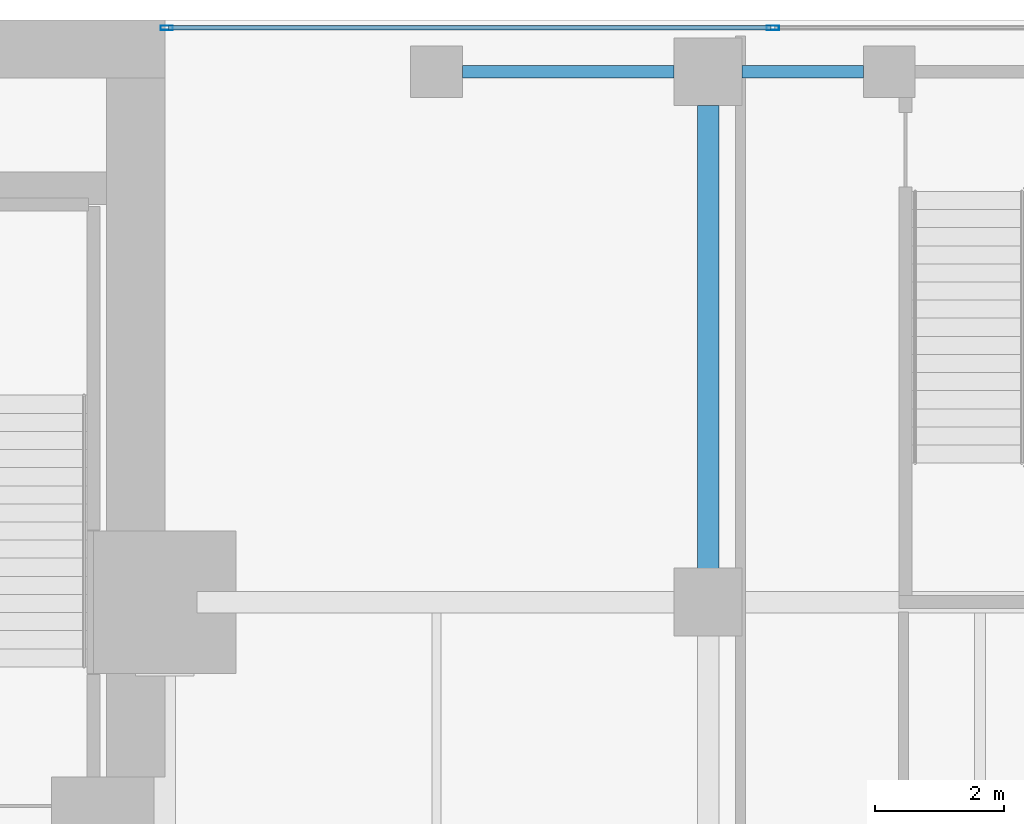
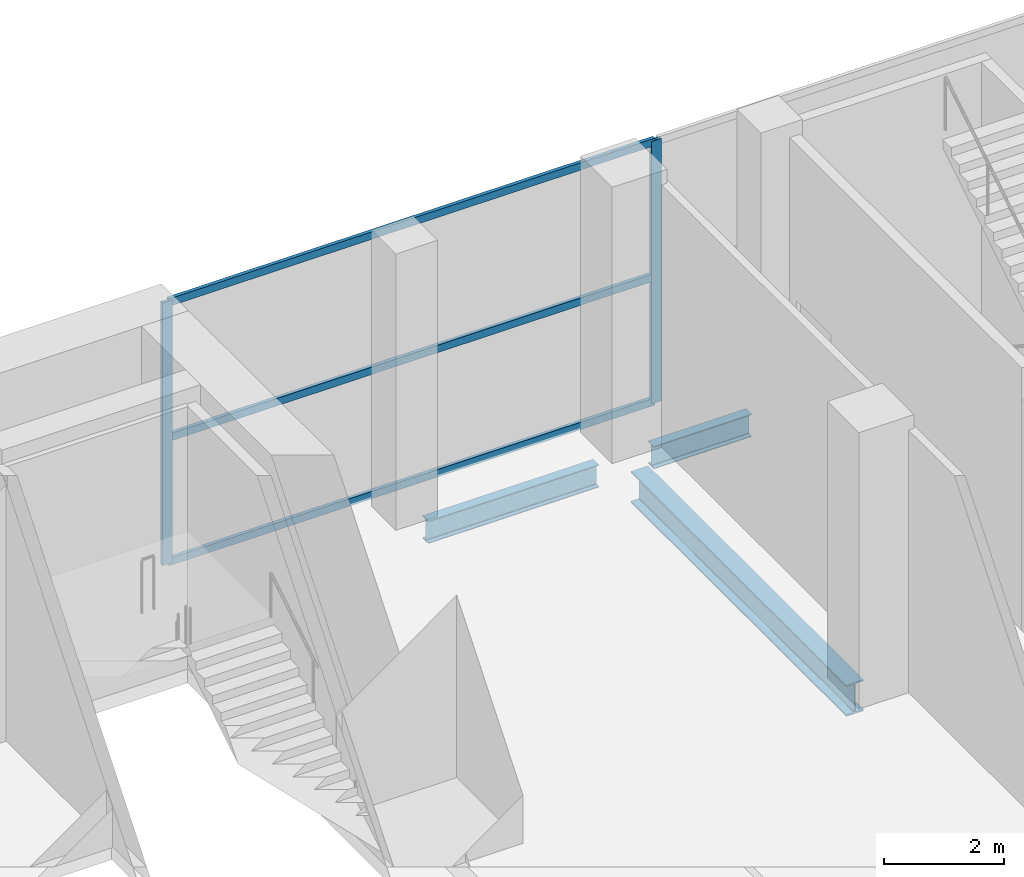
# One storey, part 23 of 40: 5 members, 3 beams, 1 element without a shape of its own.
"""IFC4 building model written with IfcOpenShell, lengths in metres."""

import ifcopenshell
import ifcopenshell.guid

model = None  # the IFC model being written
_history = None  # IfcOwnerHistory: only IFC2X3 demands one
_inside = {}  # id of a spatial element -> (the spatial element, [elements in it])
_under = {}  # id of a project, library or spatial element -> (it, [spatial elements below it])
_declared = {}  # id of a project -> (the project, [libraries it declares])
_typed = {}  # id of a type object -> (the type object, [elements of that type])
_made_of = {}  # id of a material, layer set ... -> (it, [elements and type objects made of it])


def new_model(schema):
    """Start an empty IFC model of exactly this schema.

    Asked for "IFC4X3", IfcOpenShell would pick the latest addendum, in which some entities
    have other attributes; the version numbers below select the first issue.
    IFC2X3 requires an IfcOwnerHistory on every rooted entity: one is made here for all.
    """
    global model, _history
    if schema == "IFC4X3":
        model = ifcopenshell.file(schema_version=(4, 3, 0, 0))
    else:
        model = ifcopenshell.file(schema=schema)
    _inside.clear()
    _under.clear()
    _declared.clear()
    _typed.clear()
    _made_of.clear()
    _history = None
    if model.schema == "IFC2X3":
        org = make("IfcOrganization", Name="unknown")
        user = make(
            "IfcPersonAndOrganization",
            ThePerson=make("IfcPerson", FamilyName="unknown"),
            TheOrganization=org,
        )
        app = make(
            "IfcApplication",
            ApplicationDeveloper=org,
            Version="unknown",
            ApplicationFullName="unknown",
            ApplicationIdentifier="unknown",
        )
        _history = make(
            "IfcOwnerHistory",
            OwningUser=user,
            OwningApplication=app,
            ChangeAction="ADDED",
            CreationDate=0,
        )
    return model


def make(cls, **values):
    """One entity of the class cls with the attributes given. An attribute that is None is left unset."""
    return model.create_entity(
        cls, **{name: value for name, value in values.items() if value is not None}
    )


def rooted(cls, **values):
    """An entity with a GlobalId (a new one), such as an element, a storey or a relation."""
    return make(cls, GlobalId=ifcopenshell.guid.new(), OwnerHistory=_history, **values)


def si_unit(unit_type, name, prefix=None):
    """IfcSIUnit, for example si_unit("LENGTHUNIT", "METRE", prefix="MILLI")."""
    return make("IfcSIUnit", UnitType=unit_type, Prefix=prefix, Name=name)


def assignment(units):
    """IfcUnitAssignment: the units of a project."""
    return None if units is None else make("IfcUnitAssignment", Units=units)


def point(xyz):
    """IfcCartesianPoint."""
    return None if xyz is None else make("IfcCartesianPoint", Coordinates=xyz)


def direction(xyz):
    """IfcDirection."""
    return None if xyz is None else make("IfcDirection", DirectionRatios=xyz)


def frame(location, z_axis=None, x_axis=None):
    """IfcAxis2Placement3D, a coordinate frame: its origin and axes. An axis left out is left unset."""
    return make(
        "IfcAxis2Placement3D",
        Location=point(location),
        Axis=direction(z_axis),
        RefDirection=direction(x_axis),
    )


def frame_2d(location, x_axis=None):
    """IfcAxis2Placement2D, a coordinate frame in the plane: its origin and x axis."""
    return make(
        "IfcAxis2Placement2D", Location=point(location), RefDirection=direction(x_axis)
    )


def origin():
    """The frame at (0, 0, 0) with its axes left unset."""
    return frame((0.0, 0.0, 0.0))


def origin_2d():
    """The frame at (0, 0) in the plane with its x axis left unset."""
    return frame_2d((0.0, 0.0))


def place(relative_to, where):
    """IfcLocalPlacement: puts the frame where relative to a parent placement (None: the world)."""
    return make(
        "IfcLocalPlacement", PlacementRelTo=relative_to, RelativePlacement=where
    )


def context(
    kind, dimensions, precision=None, world=None, true_north=None, identifier=None
):
    """IfcGeometricRepresentationContext, for example the 3D "Model" context."""
    return make(
        "IfcGeometricRepresentationContext",
        ContextIdentifier=identifier,
        ContextType=kind,
        CoordinateSpaceDimension=dimensions,
        Precision=precision,
        WorldCoordinateSystem=world,
        TrueNorth=true_north,
    )


def subcontext(parent, identifier, kind, view, scale=None):
    """IfcGeometricRepresentationSubContext, for example "Body" below "Model"."""
    return make(
        "IfcGeometricRepresentationSubContext",
        ContextIdentifier=identifier,
        ContextType=kind,
        ParentContext=parent,
        TargetScale=scale,
        TargetView=view,
    )


def project(units=None, contexts=None):
    """IfcProject with its units and contexts."""
    return rooted(
        "IfcProject",
        Name="project",
        RepresentationContexts=contexts,
        UnitsInContext=assignment(units),
    )


def spatial(cls, under=None, at=None, **own):
    """A site, building, storey or space (cls), placed at a placement, below another one or the project."""
    s = rooted(cls, ObjectPlacement=at, **own)
    if under is not None:
        _under.setdefault(under.id(), (under, []))[1].append(s)
    return s


def profile(cls, at=None, kind="AREA", **sizes):
    """A parametric profile (cls). Its sizes go by their IFC names, for example OverallWidth=200.0."""
    return make(cls, ProfileType=kind, Position=at, **sizes)


def hollow_rectangle(**sizes):
    """IfcRectangleHollowProfileDef."""
    return profile("IfcRectangleHollowProfileDef", **sizes)


def i_section(**sizes):
    """IfcIShapeProfileDef."""
    return profile("IfcIShapeProfileDef", **sizes)


def extrude(swept, where, along, depth):
    """IfcExtrudedAreaSolid: the profile swept, set in the frame where, extruded along a direction by depth."""
    return make(
        "IfcExtrudedAreaSolid",
        SweptArea=swept,
        Position=where,
        ExtrudedDirection=direction(along),
        Depth=depth,
    )


def shape(context_of_items, identifier, shape_type, items):
    """IfcShapeRepresentation: the items that make up one representation, for example the "Body"."""
    return make(
        "IfcShapeRepresentation",
        ContextOfItems=context_of_items,
        RepresentationIdentifier=identifier,
        RepresentationType=shape_type,
        Items=items,
    )


def material(Name=None, Category=None):
    """IfcMaterial."""
    return make("IfcMaterial", Name=Name, Category=Category)


def layer(
    of_material, thickness, ventilated=None, Name=None, Category=None, Priority=None
):
    """IfcMaterialLayer: one layer of a wall or slab, of a material (None: an air gap)."""
    return make(
        "IfcMaterialLayer",
        Material=of_material,
        LayerThickness=thickness,
        IsVentilated=ventilated,
        Name=Name,
        Category=Category,
        Priority=Priority,
    )


def layer_set(layers, Name=None):
    """IfcMaterialLayerSet."""
    return make("IfcMaterialLayerSet", MaterialLayers=layers, LayerSetName=Name)


def material_profile(
    of_material, cross_section, Name=None, Category=None, Priority=None
):
    """IfcMaterialProfile: a cross section and its material."""
    return make(
        "IfcMaterialProfile",
        Name=Name,
        Material=of_material,
        Profile=cross_section,
        Priority=Priority,
        Category=Category,
    )


def profile_set(profiles, Name=None, composite=None):
    """IfcMaterialProfileSet."""
    return make(
        "IfcMaterialProfileSet",
        Name=Name,
        MaterialProfiles=profiles,
        CompositeProfile=composite,
    )


def made_of(thing, what):
    """Note that an element or type object is made of a material, layer set ...; save() writes the relation."""
    if what is not None:
        _made_of.setdefault(what.id(), (what, []))[1].append(thing)
    return thing


def type_object(cls, material=None, **own):
    """A type object (cls), such as IfcWallType, which elements share."""
    return made_of(rooted(cls, **own), material)


def element(
    cls,
    number,
    at=None,
    inside=None,
    cuts=None,
    type_object=None,
    material=None,
    context=None,
    identifier="Body",
    shape_type=None,
    held_by="IfcProductDefinitionShape",
    body=None,
    shapes=None,
    **own,
):
    """One element of the class cls, such as IfcWall. Its Tag is "e" and its number.

    at: its placement. inside: the storey or other place that contains it. cuts: it is an
    opening in that element (IfcRelVoidsElement). A single representation is given by context,
    identifier, shape_type and body (its items); several are given by shapes. held_by: the class
    of the entity that holds the representations. save() writes the other relations.
    """
    e = rooted(cls, Tag="e%d" % number, ObjectPlacement=at, **own)
    if body is not None:
        shapes = [shape(context, identifier, shape_type, body)]
    if shapes is not None:
        e.Representation = make(held_by, Representations=shapes)
    if inside is not None:
        _inside.setdefault(inside.id(), (inside, []))[1].append(e)
    if cuts is not None:
        rooted(
            "IfcRelVoidsElement", RelatingBuildingElement=cuts, RelatedOpeningElement=e
        )
    if type_object is not None:
        _typed.setdefault(type_object.id(), (type_object, []))[1].append(e)
    return made_of(e, material)


def aggregate(whole, parts):
    """IfcRelAggregates: a whole, such as a stair, and the parts it consists of."""
    return rooted("IfcRelAggregates", RelatingObject=whole, RelatedObjects=parts)


def save(model, path):
    """Write the relations noted so far, then the file.

    IfcRelAggregates (storeys below a building ...), IfcRelContainedInSpatialStructure (elements
    in a storey), IfcRelDefinesByType, IfcRelAssociatesMaterial and IfcRelDeclares: one each for
    every whole, place, type object, material and project.
    """
    for whole, parts in _under.values():
        aggregate(whole, parts)
    for where, things in _inside.values():
        rooted(
            "IfcRelContainedInSpatialStructure",
            RelatedElements=things,
            RelatingStructure=where,
        )
    for kind, things in _typed.values():
        rooted("IfcRelDefinesByType", RelatedObjects=things, RelatingType=kind)
    for what, things in _made_of.values():
        rooted("IfcRelAssociatesMaterial", RelatedObjects=things, RelatingMaterial=what)
    for by, libraries in _declared.values():
        rooted("IfcRelDeclares", RelatingContext=by, RelatedDefinitions=libraries)
    model.write(path)


model = new_model("IFC4")

# Units and contexts
model_context = context("Model", 3, precision=1e-05, world=origin(), true_north=direction((0.0, 1.0)))
body_context = subcontext(model_context, "Body", "Model", "MODEL_VIEW")
ifc_project = project(units=[si_unit("LENGTHUNIT", "METRE"), si_unit("AREAUNIT", "SQUARE_METRE"), si_unit("VOLUMEUNIT", "CUBIC_METRE"), si_unit("PLANEANGLEUNIT", "RADIAN"), si_unit("MASSUNIT", "GRAM", prefix="KILO")], contexts=[model_context])

# Site, building, storey
site_placement = place(None, origin())
site = spatial("IfcSite", under=ifc_project, at=site_placement, CompositionType="ELEMENT")
building_placement = place(site_placement, origin())
building = spatial("IfcBuilding", under=site, at=building_placement, Name="Maruvema Waterfront Hotel and Observation Tower", CompositionType="ELEMENT")
storey_placement = place(building_placement, frame((0.0, 0.0, 10.85009765625)))
storey = spatial("IfcBuildingStorey", under=building, at=storey_placement, Name="L02", CompositionType="ELEMENT", Elevation=10.85009765625)

# Curtain wall, members
ifc_material_1 = material(Name="Anodised bronze aluminium and solar-control low-E IGU", Category="aluminium")
ifc_layer = layer(ifc_material_1, 0.159912109375, Name="Podium Waterfront Storefront Curtain Wall System CW-01")
ifc_layer_set = layer_set([ifc_layer], Name="Anodised bronze aluminium and solar-control low-E IGU")
curtain_wall_type = type_object("IfcCurtainWallType", Name="Podium Waterfront Storefront Curtain Wall System CW-01", PredefinedType="USERDEFINED", material=ifc_layer_set)
curtain_wall_placement = place(storey_placement, origin())
curtain_wall = element("IfcCurtainWall", 1, at=curtain_wall_placement, inside=storey, type_object=curtain_wall_type, Name="L02 Curtain Wall CW-L02-NE", ObjectType="UNITISED CURTAIN WALL", PredefinedType="USERDEFINED")
ifc_material_2 = material(Name="Anodised architectural bronze aluminium", Category="aluminium")
ifc_material_profile_1 = material_profile(ifc_material_2, hollow_rectangle(XDim=0.070068359375, YDim=0.14990234375, WallThickness=0.00390625, at=origin_2d()), Name="ALU-T70x150")
ifc_profile_set_1 = profile_set([ifc_material_profile_1], Name="Anodised architectural bronze aluminium")
member_type_1 = type_object("IfcMemberType", Name="Curtain Wall Horizontal Transom ALU-T70x150", PredefinedType="USERDEFINED", material=ifc_profile_set_1)
member_1_placement = place(storey_placement, frame((59.77001953125, 53.8798828125, 0.02978515625), z_axis=(-1.0, 0.0, 0.0), x_axis=(0.0, -1.0, 0.0)))
member_1 = element("IfcMember", 2, at=member_1_placement, type_object=member_type_1, Name="CW-01 transom 2.1", ObjectType="TRANSOM", PredefinedType="USERDEFINED", context=body_context, shape_type="SweptSolid", body=[
    extrude(hollow_rectangle(XDim=0.070068359375, YDim=0.14990234375, WallThickness=0.00390625, at=origin_2d()), origin(), (0.0, 0.0, 1.0), 9.31005859375),
])
member_2_placement = place(storey_placement, frame((59.77001953125, 53.8798828125, 2.5498046875), z_axis=(-1.0, 0.0, 0.0), x_axis=(0.0, -1.0, 0.0)))
member_2 = element("IfcMember", 3, at=member_2_placement, type_object=member_type_1, Name="CW-01 transom 2.2", ObjectType="TRANSOM", PredefinedType="USERDEFINED", context=body_context, shape_type="SweptSolid", body=[
    extrude(hollow_rectangle(XDim=0.070068359375, YDim=0.14990234375, WallThickness=0.00390625, at=origin_2d()), origin(), (0.0, 0.0, 1.0), 9.31005859375),
])
member_3_placement = place(storey_placement, frame((59.77001953125, 53.8798828125, 5.289794921875), z_axis=(-1.0, 0.0, 0.0), x_axis=(0.0, -1.0, 0.0)))
member_3 = element("IfcMember", 4, at=member_3_placement, type_object=member_type_1, Name="CW-01 transom 2.3", ObjectType="TRANSOM", PredefinedType="USERDEFINED", context=body_context, shape_type="SweptSolid", body=[
    extrude(hollow_rectangle(XDim=0.070068359375, YDim=0.14990234375, WallThickness=0.00390625, at=origin_2d()), origin(), (0.0, 0.0, 1.0), 9.31005859375),
])

# Beams
ifc_material_3 = material(Name="Steel ASTM A572 Grade 50", Category="steel")
ifc_material_profile_2 = material_profile(ifc_material_3, i_section(OverallWidth=0.18994140625, OverallDepth=0.45703125, WebThickness=0.009033203125, FlangeThickness=0.014404296875, FilletRadius=0.014892578125, at=origin_2d()), Name="W460x74.0")
ifc_profile_set_2 = profile_set([ifc_material_profile_2], Name="Steel ASTM A572 Grade 50")
beam_type_1 = type_object("IfcBeamType", Name="Perimeter Spandrel Beam W460x74.0", PredefinedType="SPANDREL", material=ifc_profile_set_2)
beam_1_placement = place(storey_placement, frame((55.0, 53.199951171875, -0.508544921875), z_axis=(1.0, 0.0, 0.0), x_axis=(0.0, 1.0, 0.0)))
element("IfcBeam", 5, at=beam_1_placement, inside=storey, type_object=beam_type_1, Name="L02 Floor Girder EW-38", PredefinedType="SPANDREL", context=body_context, shape_type="SweptSolid", body=[
    extrude(i_section(OverallWidth=0.18994140625, OverallDepth=0.45703125, WebThickness=0.009033203125, FlangeThickness=0.014404296875, FilletRadius=0.014892578125, at=origin_2d()), origin(), (0.0, 0.0, 1.0), 3.27490234375),
])
beam_2_placement = place(storey_placement, frame((59.324951171875, 53.199951171875, -0.508544921875), z_axis=(1.0, 0.0, 0.0), x_axis=(0.0, 1.0, 0.0)))
element("IfcBeam", 6, at=beam_2_placement, inside=storey, type_object=beam_type_1, Name="L02 Floor Girder EW-39", PredefinedType="SPANDREL", context=body_context, shape_type="SweptSolid", body=[
    extrude(i_section(OverallWidth=0.18994140625, OverallDepth=0.45703125, WebThickness=0.009033203125, FlangeThickness=0.014404296875, FilletRadius=0.014892578125, at=origin_2d()), origin(), (0.0, 0.0, 1.0), 1.875),
])

# Member
ifc_material_4 = material(Name="Anodised architectural bronze aluminium", Category="aluminium")
ifc_material_profile_3 = material_profile(ifc_material_4, hollow_rectangle(XDim=0.070068359375, YDim=0.18994140625, WallThickness=0.00390625, at=origin_2d()), Name="ALU-M70x190")
ifc_profile_set_3 = profile_set([ifc_material_profile_3], Name="Anodised architectural bronze aluminium")
member_type_2 = type_object("IfcMemberType", Name="Podium Storefront Heavy Mullion ALU-M70x190", PredefinedType="MULLION", material=ifc_profile_set_3)
member_4_placement = place(storey_placement, frame((59.800048828125, 53.8798828125, 0.0), z_axis=(0.0, 0.0, 1.0), x_axis=(0.0, -1.0, 0.0)))
member_4 = element("IfcMember", 7, at=member_4_placement, type_object=member_type_2, Name="CW-01 mullion 2", PredefinedType="MULLION", context=body_context, shape_type="SweptSolid", body=[
    extrude(hollow_rectangle(XDim=0.070068359375, YDim=0.18994140625, WallThickness=0.00390625, at=origin_2d()), origin(), (0.0, 0.0, 1.0), 5.31982421875),
])

member_5_placement = place(storey_placement, frame((50.429931640625, 53.8798828125, 0.0), z_axis=(0.0, 0.0, 1.0), x_axis=(0.0, -1.0, 0.0)))
member_5 = element("IfcMember", 8, at=member_5_placement, type_object=member_type_2, Name="CW-01 mullion 3", PredefinedType="MULLION", context=body_context, shape_type="SweptSolid", body=[
    extrude(hollow_rectangle(XDim=0.070068359375, YDim=0.18994140625, WallThickness=0.00390625, at=origin_2d()), origin(), (0.0, 0.0, 1.0), 5.31982421875),
])

aggregate(curtain_wall, [member_4, member_5, member_1, member_2, member_3])

# Beam
ifc_material_5 = material(Name="Steel ASTM A572 Grade 50", Category="steel")
ifc_material_profile_4 = material_profile(ifc_material_5, i_section(OverallWidth=0.3291015625, OverallDepth=0.635009765625, WebThickness=0.017822265625, FlangeThickness=0.031005859375, FilletRadius=0.01806640625, at=origin_2d()), Name="W610x241.0")
ifc_profile_set_4 = profile_set([ifc_material_profile_4], Name="Steel ASTM A572 Grade 50")
beam_type_2 = type_object("IfcBeamType", Name="Primary Floor Girder W610x241.0", PredefinedType="BEAM", material=ifc_profile_set_4)
beam_3_placement = place(storey_placement, frame((58.800048828125, 45.52490234375, -0.59765625), z_axis=(0.0, 1.0, 0.0), x_axis=(-1.0, 0.0, 0.0)))
element("IfcBeam", 9, at=beam_3_placement, inside=storey, type_object=beam_type_2, Name="L02 Floor Girder NS-28", PredefinedType="BEAM", context=body_context, shape_type="SweptSolid", body=[
    extrude(i_section(OverallWidth=0.3291015625, OverallDepth=0.635009765625, WebThickness=0.017822265625, FlangeThickness=0.031005859375, FilletRadius=0.01806640625, at=origin_2d()), origin(), (0.0, 0.0, 1.0), 7.150146484375),
])

save(model, "model.ifc")
